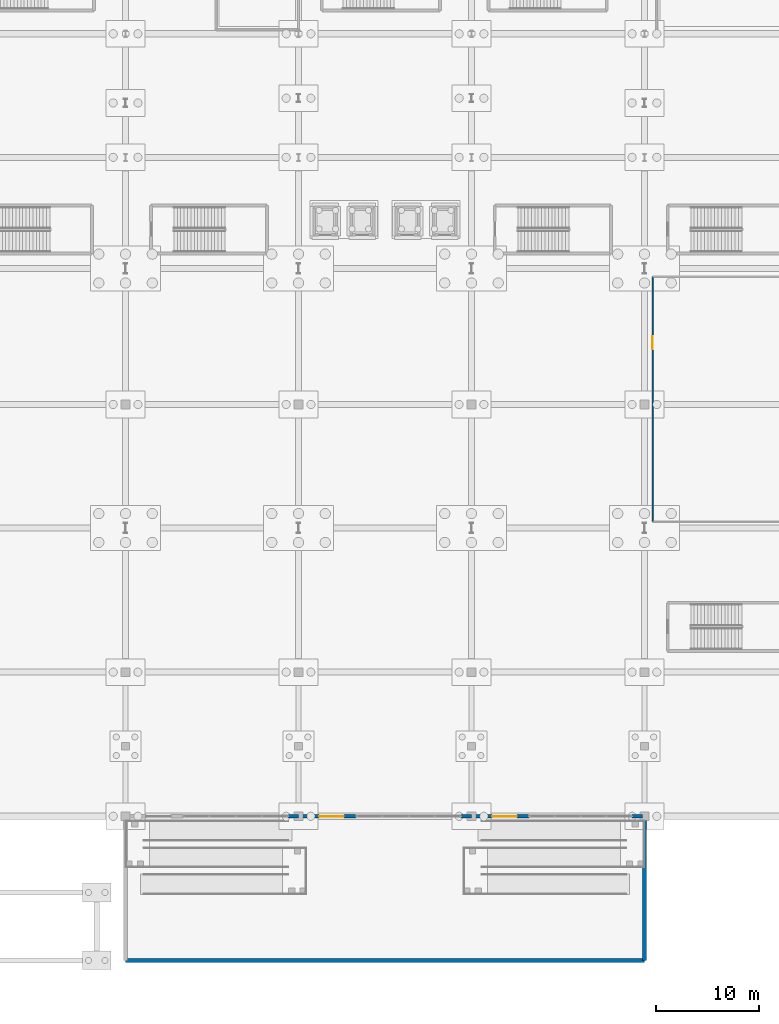
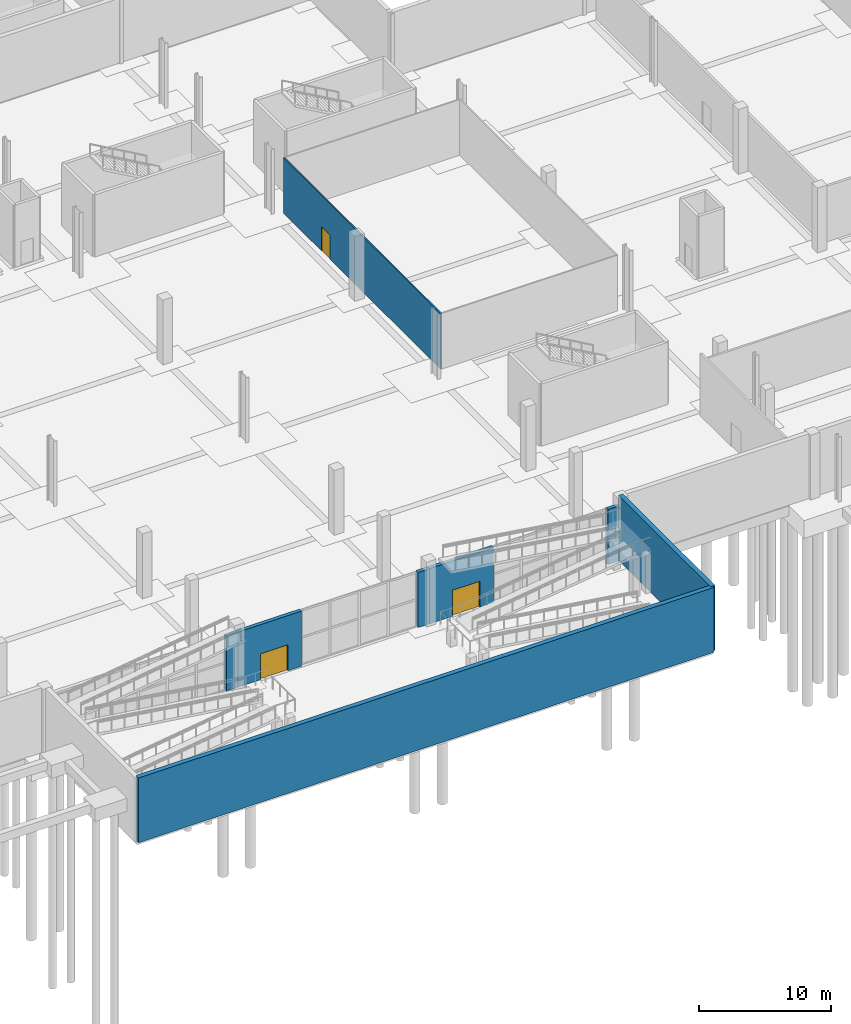
# One storey, part 26 of 46: 8 walls, 3 doors, 3 openings.
"""IFC4 building model written with IfcOpenShell, lengths in metres."""

from ifc_helpers import new_model, si_unit, direction, frame, frame_2d, origin, place, context, subcontext, project, spatial, rectangle, extrude, material, layer, layer_set, type_object, element, fill, save


model = new_model("IFC4")

# Units and contexts
model_context = context("Model", 3, precision=1e-05, world=origin(), true_north=direction((0.0, 1.0)))
body_context = subcontext(model_context, "Body", "Model", "MODEL_VIEW")
ifc_project = project(units=[si_unit("LENGTHUNIT", "METRE"), si_unit("AREAUNIT", "SQUARE_METRE"), si_unit("VOLUMEUNIT", "CUBIC_METRE"), si_unit("PLANEANGLEUNIT", "RADIAN"), si_unit("MASSUNIT", "GRAM", prefix="KILO")], contexts=[model_context])

# Site, building, storey
site_placement = place(None, origin())
site = spatial("IfcSite", under=ifc_project, at=site_placement, CompositionType="ELEMENT")
building_placement = place(site_placement, origin())
building = spatial("IfcBuilding", under=site, at=building_placement, Name="Kimbaza Rail Terminus", CompositionType="ELEMENT")
storey_placement = place(building_placement, frame((0.0, 0.0, -6.0)))
storey = spatial("IfcBuildingStorey", under=building, at=storey_placement, Name="B1", CompositionType="ELEMENT", Elevation=-6.0)

# Wall
ifc_material_1 = material(Name="Precast concrete C40/50", Category="concrete")
ifc_layer_1 = layer(ifc_material_1, 0.320068359375)
ifc_layer_set_1 = layer_set([ifc_layer_1], Name="Precast concrete C40/50")
wall_type_1 = type_object("IfcWallType", Name="ARC-WL-EXT320", PredefinedType="STANDARD", material=ifc_layer_set_1)
wall_1_placement = place(storey_placement, frame((104.60009765625, 27.0, 0.0), z_axis=(0.0, 0.0, 1.0), x_axis=(1.0, 0.0, 0.0)))
element("IfcWall", 1, at=wall_1_placement, inside=storey, type_object=wall_type_1, Name="Metro Plaza Pier 1", PredefinedType="STANDARD", context=body_context, shape_type="SweptSolid", body=[
    extrude(rectangle(XDim=1.0, YDim=0.320068359375, at=frame_2d((0.5, 0.0))), origin(), (0.0, 0.0, 1.0), 5.10009765625),
])

# Wall, opening, door
wall_2_placement = place(storey_placement, frame((105.60009765625, 27.0, 0.0), z_axis=(0.0, 0.0, 1.0), x_axis=(1.0, 0.0, 0.0)))
wall_2 = element("IfcWall", 2, at=wall_2_placement, inside=storey, type_object=wall_type_1, Name="Metro Plaza Portal 2", PredefinedType="STANDARD", context=body_context, shape_type="SweptSolid", body=[
    extrude(rectangle(XDim=5.599853515625, YDim=0.320068359375, at=frame_2d((2.7998046875, 0.0))), origin(), (0.0, 0.0, 1.0), 5.10009765625),
])
opening_1_placement = place(wall_2_placement, frame((4.39990234375, 0.0, 0.0), z_axis=(0.0, 0.0, 1.0), x_axis=(-1.0, 0.0, 0.0)))
opening_1 = element("IfcOpeningElement", 3, at=opening_1_placement, cuts=wall_2, Name="Opening D-EX1", PredefinedType="OPENING", context=body_context, shape_type="SweptSolid", body=[
    extrude(rectangle(XDim=2.39990234375, YDim=2.39990234375, at=frame_2d((1.199951171875, 1.199951171875))), frame((0.0, 0.169921875, 0.0), z_axis=(0.0, -1.0, 0.0), x_axis=(1.0, 0.0, 0.0)), (0.0, 0.0, 1.0), 0.340087890625),
])
ifc_material_2 = material(Name="Anodised aluminium and toughened safety glass", Category="aluminium")
door_type_1 = type_object("IfcDoorType", Name="ARC-DR-EX240", OperationType="NOTDEFINED", PredefinedType="DOOR", material=ifc_material_2)
door_1_placement = place(opening_1_placement, origin())
door_1 = element("IfcDoor", 4, at=door_1_placement, inside=storey, type_object=door_type_1, Name="DR-B1PLZ-2", OperationType="SINGLE_SWING_LEFT", OverallHeight=2.39990234375, OverallWidth=2.39990234375, PredefinedType="DOOR", context=body_context, shape_type="SweptSolid", body=[
    extrude(rectangle(XDim=2.39990234375, YDim=2.39990234375, at=frame_2d((1.199951171875, 1.199951171875))), frame((0.0, 0.02490234375, 0.0), z_axis=(0.0, -1.0, 0.0), x_axis=(1.0, 0.0, 0.0)), (0.0, 0.0, 1.0), 0.050048828125),
])
fill(opening_1, door_1)

# Wall
wall_3_placement = place(storey_placement, frame((121.39990234375, 27.0, 0.0), z_axis=(0.0, 0.0, 1.0), x_axis=(1.0, 0.0, 0.0)))
element("IfcWall", 5, at=wall_3_placement, inside=storey, type_object=wall_type_1, Name="Metro Plaza Pier 2", PredefinedType="STANDARD", context=body_context, shape_type="SweptSolid", body=[
    extrude(rectangle(XDim=1.0, YDim=0.320068359375, at=frame_2d((0.5, 0.0))), origin(), (0.0, 0.0, 1.0), 5.10009765625),
])

# Wall, opening, door
wall_4_placement = place(storey_placement, frame((122.39990234375, 27.0, 0.0), z_axis=(0.0, 0.0, 1.0), x_axis=(1.0, 0.0, 0.0)))
wall_4 = element("IfcWall", 6, at=wall_4_placement, inside=storey, type_object=wall_type_1, Name="Metro Plaza Portal 3", PredefinedType="STANDARD", context=body_context, shape_type="SweptSolid", body=[
    extrude(rectangle(XDim=5.60009765625, YDim=0.320068359375, at=frame_2d((2.800048828125, 0.0))), origin(), (0.0, 0.0, 1.0), 5.10009765625),
])
opening_2_placement = place(wall_4_placement, frame((4.39990234375, 0.0, 0.0), z_axis=(0.0, 0.0, 1.0), x_axis=(-1.0, 0.0, 0.0)))
opening_2 = element("IfcOpeningElement", 7, at=opening_2_placement, cuts=wall_4, Name="Opening D-EX1", PredefinedType="OPENING", context=body_context, shape_type="SweptSolid", body=[
    extrude(rectangle(XDim=2.39990234375, YDim=2.39990234375, at=frame_2d((1.199951171875, 1.199951171875))), frame((0.0, 0.169921875, 0.0), z_axis=(0.0, -1.0, 0.0), x_axis=(1.0, 0.0, 0.0)), (0.0, 0.0, 1.0), 0.340087890625),
])
door_2_placement = place(opening_2_placement, origin())
door_2 = element("IfcDoor", 8, at=door_2_placement, inside=storey, type_object=door_type_1, Name="DR-B1PLZ-3", OperationType="SINGLE_SWING_RIGHT", OverallHeight=2.39990234375, OverallWidth=2.39990234375, PredefinedType="DOOR", context=body_context, shape_type="SweptSolid", body=[
    extrude(rectangle(XDim=2.39990234375, YDim=2.39990234375, at=frame_2d((1.199951171875, 1.199951171875))), frame((0.0, 0.02490234375, 0.0), z_axis=(0.0, -1.0, 0.0), x_axis=(1.0, 0.0, 0.0)), (0.0, 0.0, 1.0), 0.050048828125),
])
fill(opening_2, door_2)

# Wall
wall_5_placement = place(storey_placement, frame((138.0, 27.0, 0.0), z_axis=(0.0, 0.0, 1.0), x_axis=(1.0, 0.0, 0.0)))
element("IfcWall", 9, at=wall_5_placement, inside=storey, type_object=wall_type_1, Name="Metro Plaza Pier 3", PredefinedType="STANDARD", context=body_context, shape_type="SweptSolid", body=[
    extrude(rectangle(XDim=1.0, YDim=0.320068359375, at=frame_2d((0.5, 0.0))), origin(), (0.0, 0.0, 1.0), 5.10009765625),
])

# Wall, opening, door
ifc_material_3 = material(Name="Demountable acoustic glass wall", Category="glass")
ifc_layer_2 = layer(ifc_material_3, 0.110107421875)
ifc_layer_set_2 = layer_set([ifc_layer_2], Name="Demountable acoustic glass wall")
wall_type_2 = type_object("IfcWallType", Name="ARC-WL-MOV110", PredefinedType="MOVABLE", material=ifc_layer_set_2)
wall_6_placement = place(storey_placement, frame((140.0, 79.39990234375, 0.0), z_axis=(0.0, 0.0, 1.0), x_axis=(0.0, -1.0, 0.0)))
wall_6 = element("IfcWall", 10, at=wall_6_placement, inside=storey, type_object=wall_type_2, Name="Automated Baggage Handling Vault Partition (west)", PredefinedType="MOVABLE", context=body_context, shape_type="SweptSolid", body=[
    extrude(rectangle(XDim=23.7998046875, YDim=0.110107421875, at=frame_2d((11.89990234375, 0.0))), origin(), (0.0, 0.0, 1.0), 5.14501953125),
])
opening_3_placement = place(wall_6_placement, frame((5.760009765625, 0.0, 0.0)))
opening_3 = element("IfcOpeningElement", 11, at=opening_3_placement, cuts=wall_6, Name="Opening ID-12", PredefinedType="OPENING", context=body_context, shape_type="SweptSolid", body=[
    extrude(rectangle(XDim=1.280029296875, YDim=2.219970703125, at=frame_2d((0.64013671875, 1.10986328125))), frame((0.0, 0.06494140625, 0.0), z_axis=(0.0, -1.0, 0.0), x_axis=(1.0, 0.0, 0.0)), (0.0, 0.0, 1.0), 0.130126953125),
])
ifc_material_4 = material(Name="Engineering studio double-seal door", Category="wood")
door_type_2 = type_object("IfcDoorType", Name="ARC-DR-ID128", OperationType="NOTDEFINED", PredefinedType="DOOR", material=ifc_material_4)
door_3_placement = place(opening_3_placement, origin())
door_3 = element("IfcDoor", 12, at=door_3_placement, inside=storey, type_object=door_type_2, Name="IDR-SPC-B1-BAGG", OperationType="SINGLE_SWING_LEFT", OverallHeight=2.219970703125, OverallWidth=1.280029296875, PredefinedType="DOOR", context=body_context, shape_type="SweptSolid", body=[
    extrude(rectangle(XDim=1.280029296875, YDim=2.219970703125, at=frame_2d((0.64013671875, 1.10986328125))), frame((0.0, 0.02490234375, 0.0), z_axis=(0.0, -1.0, 0.0), x_axis=(1.0, 0.0, 0.0)), (0.0, 0.0, 1.0), 0.050048828125),
])
fill(opening_3, door_3)

# Walls
ifc_material_5 = material(Name="Concrete C40/50", Category="concrete")
ifc_layer_3 = layer(ifc_material_5, 0.39990234375)
ifc_layer_set_3 = layer_set([ifc_layer_3], Name="Concrete C40/50")
wall_type_3 = type_object("IfcWallType", Name="STR-WL-RET400", PredefinedType="SOLIDWALL", material=ifc_layer_set_3)
wall_7_placement = place(storey_placement, frame((88.800048828125, 13.0, 0.0), z_axis=(0.0, 0.0, 1.0), x_axis=(1.0, 0.0, 0.0)))
element("IfcWall", 13, at=wall_7_placement, inside=storey, type_object=wall_type_3, Name="Metro Box Retaining Wall 4", PredefinedType="SOLIDWALL", context=body_context, shape_type="SweptSolid", body=[
    extrude(rectangle(XDim=50.39990234375, YDim=0.39990234375, at=frame_2d((25.199951171875, 0.0))), origin(), (0.0, 0.0, 1.0), 6.0),
])
wall_8_placement = place(storey_placement, frame((139.199951171875, 13.0, 0.0), z_axis=(0.0, 0.0, 1.0), x_axis=(0.0, 1.0, 0.0)))
element("IfcWall", 14, at=wall_8_placement, inside=storey, type_object=wall_type_3, Name="Metro Box Retaining Wall 5", PredefinedType="SOLIDWALL", context=body_context, shape_type="SweptSolid", body=[
    extrude(rectangle(XDim=14.0, YDim=0.39990234375, at=frame_2d((7.0, 0.0))), origin(), (0.0, 0.0, 1.0), 6.0),
])

save(model, "model.ifc")
